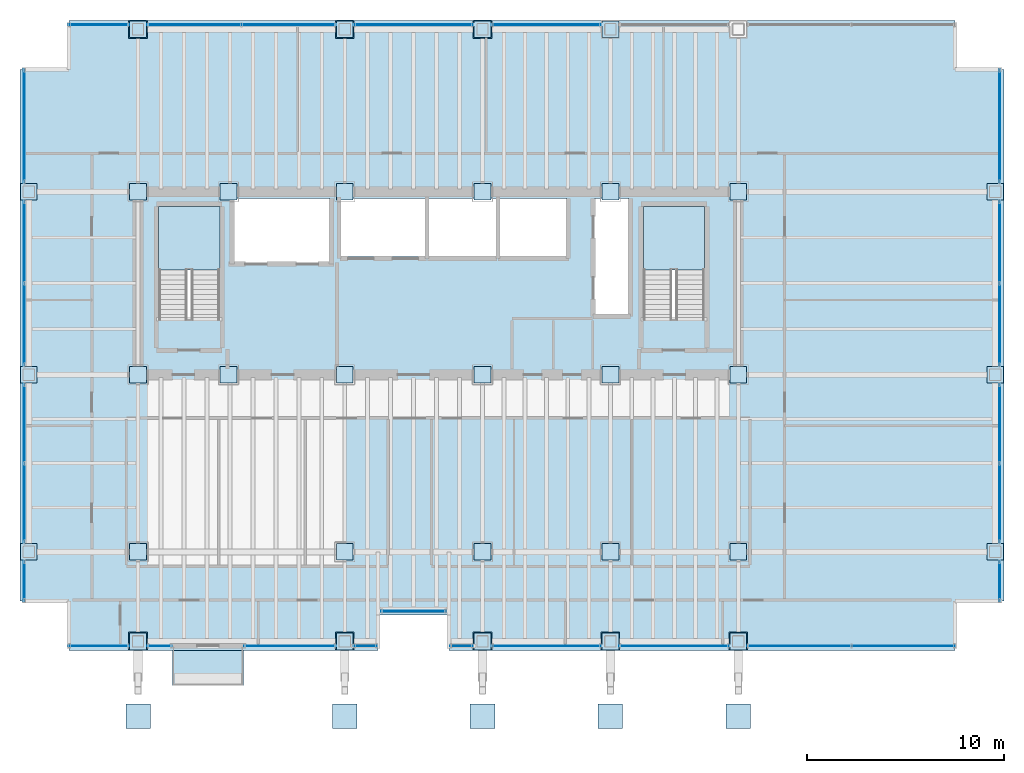
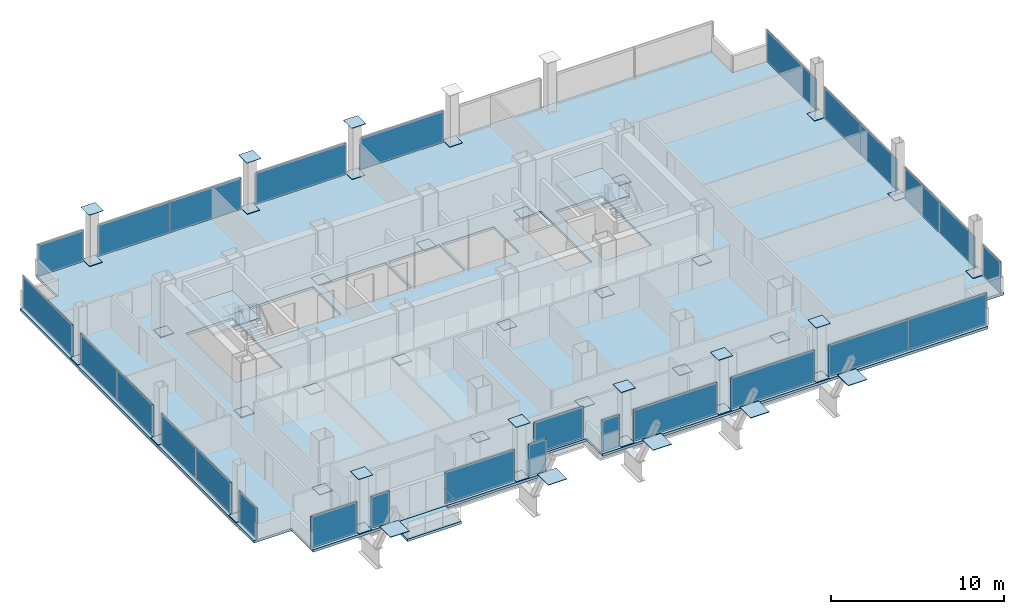
# One storey, part 17 of 21: 72 plates, 4 slabs, 7 openings, 23 elements without a shape of their own.
"""IFC4 building model written with IfcOpenShell, lengths in metres."""

from ifc_helpers import new_model, si_unit, direction, frame, origin, origin_2d, place, context, subcontext, project, spatial, polyline, rectangle, outline, extrude, material, layer, layer_set, type_object, element, aggregate, save


model = new_model("IFC4")

# Units and contexts
model_context = context("Model", 3, precision=1e-05, world=origin(), true_north=direction((0.0, 1.0)))
body_context = subcontext(model_context, "Body", "Model", "MODEL_VIEW")
ifc_project = project(units=[si_unit("LENGTHUNIT", "METRE"), si_unit("AREAUNIT", "SQUARE_METRE"), si_unit("VOLUMEUNIT", "CUBIC_METRE"), si_unit("PLANEANGLEUNIT", "RADIAN"), si_unit("MASSUNIT", "GRAM", prefix="KILO")], contexts=[model_context])

# Site, building, storey
site_placement = place(None, origin())
site = spatial("IfcSite", under=ifc_project, at=site_placement, CompositionType="ELEMENT")
building_placement = place(site_placement, origin())
building = spatial("IfcBuilding", under=site, at=building_placement, Name="Noeulbin Bourse Tower", CompositionType="ELEMENT")
storey_placement = place(building_placement, frame((0.0, 0.0, 77.199951171875)))
storey = spatial("IfcBuildingStorey", under=building, at=storey_placement, Name="L19", CompositionType="ELEMENT", Elevation=77.199951171875)

# Curtain wall, plate
ifc_material_1 = material(Name="Dark Solar-Control Double Glazing", Category="glass")
curtain_wall_type = type_object("IfcCurtainWallType", Name="CW-SYS-2", PredefinedType="NOTDEFINED", material=ifc_material_1)
curtain_wall_1_placement = place(storey_placement, origin())
curtain_wall_1 = element("IfcCurtainWall", 1, at=curtain_wall_1_placement, inside=storey, type_object=curtain_wall_type, Name="Unitised Curtain Wall CW-L19-SREC", PredefinedType="NOTDEFINED")
ifc_layer_1 = layer(ifc_material_1, 0.035888671875)
ifc_layer_set_1 = layer_set([ifc_layer_1], Name="Dark Solar-Control Double Glazing")
plate_type_1 = type_object("IfcPlateType", Name="CW-SYS-2-PNL", PredefinedType="CURTAIN_PANEL", material=ifc_layer_set_1)
plate_1_placement = place(storey_placement, frame((27.5, 16.97998046875, 0.0), z_axis=(0.0, 0.0, 1.0), x_axis=(1.0, 0.0, 0.0)))
plate_1 = element("IfcPlate", 2, at=plate_1_placement, type_object=plate_type_1, Name="Glazed Curtain Panel CW-L19-SREC-P00", PredefinedType="CURTAIN_PANEL", context=body_context, shape_type="SweptSolid", body=[
    extrude(rectangle(XDim=3.300048828125, YDim=0.035888671875, at=origin_2d()), origin(), (0.0, 0.0, 1.0), 2.219970703125),
])
aggregate(curtain_wall_1, [plate_1])

curtain_wall_2_placement = place(storey_placement, origin())
curtain_wall_2 = element("IfcCurtainWall", 3, at=curtain_wall_2_placement, inside=storey, type_object=curtain_wall_type, Name="Unitised Curtain Wall CW-L19-S1-S1", PredefinedType="NOTDEFINED")
plate_2_placement = place(storey_placement, frame((11.510009765625, 15.219970703125, 0.0), z_axis=(0.0, 0.0, 1.0), x_axis=(1.0, 0.0, 0.0)))
plate_2 = element("IfcPlate", 4, at=plate_2_placement, type_object=plate_type_1, Name="Glazed Curtain Panel CW-L19-S1-S1-P00", PredefinedType="CURTAIN_PANEL", context=body_context, shape_type="SweptSolid", body=[
    extrude(rectangle(XDim=3.06005859375, YDim=0.035888671875, at=origin_2d()), origin(), (0.0, 0.0, 1.0), 2.219970703125),
])
aggregate(curtain_wall_2, [plate_2])

curtain_wall_3_placement = place(storey_placement, origin())
curtain_wall_3 = element("IfcCurtainWall", 5, at=curtain_wall_3_placement, inside=storey, type_object=curtain_wall_type, Name="Unitised Curtain Wall CW-L19-S1-S2", PredefinedType="NOTDEFINED")
plate_3_placement = place(storey_placement, frame((14.580078125, 15.219970703125, 0.0), z_axis=(0.0, 0.0, 1.0), x_axis=(1.0, 0.0, 0.0)))
plate_3 = element("IfcPlate", 6, at=plate_3_placement, type_object=plate_type_1, Name="Glazed Curtain Panel CW-L19-S1-S2-P00", PredefinedType="CURTAIN_PANEL", context=body_context, shape_type="SweptSolid", body=[
    extrude(rectangle(XDim=1.239990234375, YDim=0.035888671875, at=origin_2d()), origin(), (0.0, 0.0, 1.0), 2.219970703125),
])
aggregate(curtain_wall_3, [plate_3])

curtain_wall_4_placement = place(storey_placement, origin())
curtain_wall_4 = element("IfcCurtainWall", 7, at=curtain_wall_4_placement, inside=storey, type_object=curtain_wall_type, Name="Unitised Curtain Wall CW-L19-S2-S1", PredefinedType="NOTDEFINED")
plate_4_placement = place(storey_placement, frame((21.219970703125, 15.219970703125, 0.0), z_axis=(0.0, 0.0, 1.0), x_axis=(1.0, 0.0, 0.0)))
plate_4 = element("IfcPlate", 8, at=plate_4_placement, type_object=plate_type_1, Name="Glazed Curtain Panel CW-L19-S2-S1-P00", PredefinedType="CURTAIN_PANEL", context=body_context, shape_type="SweptSolid", body=[
    extrude(rectangle(XDim=4.639892578125, YDim=0.035888671875, at=origin_2d()), origin(), (0.0, 0.0, 1.0), 2.219970703125),
])
aggregate(curtain_wall_4, [plate_4])

curtain_wall_5_placement = place(storey_placement, origin())
curtain_wall_5 = element("IfcCurtainWall", 9, at=curtain_wall_5_placement, inside=storey, type_object=curtain_wall_type, Name="Unitised Curtain Wall CW-L19-S2-S2", PredefinedType="NOTDEFINED")
plate_5_placement = place(storey_placement, frame((25.054931640625, 15.219970703125, 0.0), z_axis=(0.0, 0.0, 1.0), x_axis=(1.0, 0.0, 0.0)))
plate_5 = element("IfcPlate", 10, at=plate_5_placement, type_object=plate_type_1, Name="Glazed Curtain Panel CW-L19-S2-S2-P00", PredefinedType="CURTAIN_PANEL", context=body_context, shape_type="SweptSolid", body=[
    extrude(rectangle(XDim=1.18994140625, YDim=0.035888671875, at=origin_2d()), origin(), (0.0, 0.0, 1.0), 2.219970703125),
])
aggregate(curtain_wall_5, [plate_5])

curtain_wall_6_placement = place(storey_placement, origin())
curtain_wall_6 = element("IfcCurtainWall", 11, at=curtain_wall_6_placement, inside=storey, type_object=curtain_wall_type, Name="Unitised Curtain Wall CW-L19-S3-S1", PredefinedType="NOTDEFINED")
plate_6_placement = place(storey_placement, frame((29.945068359375, 15.219970703125, 0.0), z_axis=(0.0, 0.0, 1.0), x_axis=(1.0, 0.0, 0.0)))
plate_6 = element("IfcPlate", 12, at=plate_6_placement, type_object=plate_type_1, Name="Glazed Curtain Panel CW-L19-S3-S1-P00", PredefinedType="CURTAIN_PANEL", context=body_context, shape_type="SweptSolid", body=[
    extrude(rectangle(XDim=1.18994140625, YDim=0.035888671875, at=origin_2d()), origin(), (0.0, 0.0, 1.0), 2.219970703125),
])
aggregate(curtain_wall_6, [plate_6])

curtain_wall_7_placement = place(storey_placement, origin())
curtain_wall_7 = element("IfcCurtainWall", 13, at=curtain_wall_7_placement, inside=storey, type_object=curtain_wall_type, Name="Unitised Curtain Wall CW-L19-S3-S2", PredefinedType="NOTDEFINED")
plate_7_placement = place(storey_placement, frame((34.25, 15.219970703125, 0.0), z_axis=(0.0, 0.0, 1.0), x_axis=(1.0, 0.0, 0.0)))
plate_7 = element("IfcPlate", 14, at=plate_7_placement, type_object=plate_type_1, Name="Glazed Curtain Panel CW-L19-S3-S2-P00", PredefinedType="CURTAIN_PANEL", context=body_context, shape_type="SweptSolid", body=[
    extrude(rectangle(XDim=5.580078125, YDim=0.035888671875, at=origin_2d()), origin(), (0.0, 0.0, 1.0), 2.219970703125),
])
aggregate(curtain_wall_7, [plate_7])

curtain_wall_8_placement = place(storey_placement, origin())
curtain_wall_8 = element("IfcCurtainWall", 15, at=curtain_wall_8_placement, inside=storey, type_object=curtain_wall_type, Name="Unitised Curtain Wall CW-L19-S3-S3", PredefinedType="NOTDEFINED")
plate_8_placement = place(storey_placement, frame((40.75, 15.219970703125, 0.0), z_axis=(0.0, 0.0, 1.0), x_axis=(1.0, 0.0, 0.0)))
plate_8 = element("IfcPlate", 16, at=plate_8_placement, type_object=plate_type_1, Name="Glazed Curtain Panel CW-L19-S3-S3-P00", PredefinedType="CURTAIN_PANEL", context=body_context, shape_type="SweptSolid", body=[
    extrude(rectangle(XDim=5.580078125, YDim=0.035888671875, at=origin_2d()), origin(), (0.0, 0.0, 1.0), 2.219970703125),
])
aggregate(curtain_wall_8, [plate_8])

# Curtain wall, plates
curtain_wall_9_placement = place(storey_placement, origin())
curtain_wall_9 = element("IfcCurtainWall", 17, at=curtain_wall_9_placement, inside=storey, type_object=curtain_wall_type, Name="Unitised Curtain Wall CW-L19-S3-S4", PredefinedType="NOTDEFINED")
plate_9_placement = place(storey_placement, frame((47.10009765625, 15.219970703125, 0.0), z_axis=(0.0, 0.0, 1.0), x_axis=(1.0, 0.0, 0.0)))
plate_9 = element("IfcPlate", 18, at=plate_9_placement, type_object=plate_type_1, Name="Glazed Curtain Panel CW-L19-S3-S4-P00", PredefinedType="CURTAIN_PANEL", context=body_context, shape_type="SweptSolid", body=[
    extrude(rectangle(XDim=5.280029296875, YDim=0.035888671875, at=origin_2d()), origin(), (0.0, 0.0, 1.0), 2.219970703125),
])
plate_10_placement = place(storey_placement, frame((52.3798828125, 15.219970703125, 0.0), z_axis=(0.0, 0.0, 1.0), x_axis=(1.0, 0.0, 0.0)))
plate_10 = element("IfcPlate", 19, at=plate_10_placement, type_object=plate_type_1, Name="Glazed Curtain Panel CW-L19-S3-S4-P01", PredefinedType="CURTAIN_PANEL", context=body_context, shape_type="SweptSolid", body=[
    extrude(rectangle(XDim=5.280029296875, YDim=0.035888671875, at=origin_2d()), origin(), (0.0, 0.0, 1.0), 2.219970703125),
])
aggregate(curtain_wall_9, [plate_9, plate_10])

# Curtain wall, plate
curtain_wall_10_placement = place(storey_placement, origin())
curtain_wall_10 = element("IfcCurtainWall", 20, at=curtain_wall_10_placement, inside=storey, type_object=curtain_wall_type, Name="Unitised Curtain Wall CW-L19-N-S1", PredefinedType="NOTDEFINED")
plate_11_placement = place(storey_placement, frame((11.510009765625, 46.780029296875, 0.0), z_axis=(0.0, 0.0, 1.0), x_axis=(1.0, 0.0, 0.0)))
plate_11 = element("IfcPlate", 21, at=plate_11_placement, type_object=plate_type_1, Name="Glazed Curtain Panel CW-L19-N-S1-P00", PredefinedType="CURTAIN_PANEL", context=body_context, shape_type="SweptSolid", body=[
    extrude(rectangle(XDim=3.06005859375, YDim=0.035888671875, at=origin_2d()), origin(), (0.0, 0.0, 1.0), 2.219970703125),
])
aggregate(curtain_wall_10, [plate_11])

# Curtain wall, plates
curtain_wall_11_placement = place(storey_placement, origin())
curtain_wall_11 = element("IfcCurtainWall", 22, at=curtain_wall_11_placement, inside=storey, type_object=curtain_wall_type, Name="Unitised Curtain Wall CW-L19-N-S2", PredefinedType="NOTDEFINED")
plate_12_placement = place(storey_placement, frame((16.35498046875, 46.780029296875, 0.0), z_axis=(0.0, 0.0, 1.0), x_axis=(1.0, 0.0, 0.0)))
plate_12 = element("IfcPlate", 23, at=plate_12_placement, type_object=plate_type_1, Name="Glazed Curtain Panel CW-L19-N-S2-P00", PredefinedType="CURTAIN_PANEL", context=body_context, shape_type="SweptSolid", body=[
    extrude(rectangle(XDim=4.7900390625, YDim=0.035888671875, at=origin_2d()), origin(), (0.0, 0.0, 1.0), 2.219970703125),
])
plate_13_placement = place(storey_placement, frame((21.14501953125, 46.780029296875, 0.0), z_axis=(0.0, 0.0, 1.0), x_axis=(1.0, 0.0, 0.0)))
plate_13 = element("IfcPlate", 24, at=plate_13_placement, type_object=plate_type_1, Name="Glazed Curtain Panel CW-L19-N-S2-P01", PredefinedType="CURTAIN_PANEL", context=body_context, shape_type="SweptSolid", body=[
    extrude(rectangle(XDim=4.7900390625, YDim=0.035888671875, at=origin_2d()), origin(), (0.0, 0.0, 1.0), 2.219970703125),
])
aggregate(curtain_wall_11, [plate_12, plate_13])

# Curtain wall, plate
curtain_wall_12_placement = place(storey_placement, origin())
curtain_wall_12 = element("IfcCurtainWall", 25, at=curtain_wall_12_placement, inside=storey, type_object=curtain_wall_type, Name="Unitised Curtain Wall CW-L19-N-S3", PredefinedType="NOTDEFINED")
plate_14_placement = place(storey_placement, frame((27.5, 46.780029296875, 0.0), z_axis=(0.0, 0.0, 1.0), x_axis=(1.0, 0.0, 0.0)))
plate_14 = element("IfcPlate", 26, at=plate_14_placement, type_object=plate_type_1, Name="Glazed Curtain Panel CW-L19-N-S3-P00", PredefinedType="CURTAIN_PANEL", context=body_context, shape_type="SweptSolid", body=[
    extrude(rectangle(XDim=6.080078125, YDim=0.035888671875, at=origin_2d()), origin(), (0.0, 0.0, 1.0), 2.219970703125),
])
aggregate(curtain_wall_12, [plate_14])

curtain_wall_13_placement = place(storey_placement, origin())
curtain_wall_13 = element("IfcCurtainWall", 27, at=curtain_wall_13_placement, inside=storey, type_object=curtain_wall_type, Name="Unitised Curtain Wall CW-L19-N-S4", PredefinedType="NOTDEFINED")
plate_15_placement = place(storey_placement, frame((34.25, 46.780029296875, 0.0), z_axis=(0.0, 0.0, 1.0), x_axis=(1.0, 0.0, 0.0)))
plate_15 = element("IfcPlate", 28, at=plate_15_placement, type_object=plate_type_1, Name="Glazed Curtain Panel CW-L19-N-S4-P00", PredefinedType="CURTAIN_PANEL", context=body_context, shape_type="SweptSolid", body=[
    extrude(rectangle(XDim=5.580078125, YDim=0.035888671875, at=origin_2d()), origin(), (0.0, 0.0, 1.0), 2.219970703125),
])
aggregate(curtain_wall_13, [plate_15])

curtain_wall_14_placement = place(storey_placement, origin())
curtain_wall_14 = element("IfcCurtainWall", 29, at=curtain_wall_14_placement, inside=storey, type_object=curtain_wall_type, Name="Unitised Curtain Wall CW-L19-W-S1", PredefinedType="NOTDEFINED")
plate_16_placement = place(storey_placement, frame((7.719970703125, 18.510009765625, 0.0), z_axis=(0.0, 0.0, 1.0), x_axis=(0.0, 1.0, 0.0)))
plate_16 = element("IfcPlate", 30, at=plate_16_placement, type_object=plate_type_1, Name="Glazed Curtain Panel CW-L19-W-S1-P00", PredefinedType="CURTAIN_PANEL", context=body_context, shape_type="SweptSolid", body=[
    extrude(rectangle(XDim=2.06005859375, YDim=0.035888671875, at=origin_2d()), origin(), (0.0, 0.0, 1.0), 2.219970703125),
])
aggregate(curtain_wall_14, [plate_16])

# Curtain wall, plates
curtain_wall_15_placement = place(storey_placement, origin())
curtain_wall_15 = element("IfcCurtainWall", 31, at=curtain_wall_15_placement, inside=storey, type_object=curtain_wall_type, Name="Unitised Curtain Wall CW-L19-W-S2", PredefinedType="NOTDEFINED")
plate_17_placement = place(storey_placement, frame((7.719970703125, 22.47998046875, 0.0), z_axis=(0.0, 0.0, 1.0), x_axis=(0.0, 1.0, 0.0)))
plate_17 = element("IfcPlate", 32, at=plate_17_placement, type_object=plate_type_1, Name="Glazed Curtain Panel CW-L19-W-S2-P00", PredefinedType="CURTAIN_PANEL", context=body_context, shape_type="SweptSolid", body=[
    extrude(rectangle(XDim=4.0400390625, YDim=0.035888671875, at=origin_2d()), origin(), (0.0, 0.0, 1.0), 2.219970703125),
])
plate_18_placement = place(storey_placement, frame((7.719970703125, 26.52001953125, 0.0), z_axis=(0.0, 0.0, 1.0), x_axis=(0.0, 1.0, 0.0)))
plate_18 = element("IfcPlate", 33, at=plate_18_placement, type_object=plate_type_1, Name="Glazed Curtain Panel CW-L19-W-S2-P01", PredefinedType="CURTAIN_PANEL", context=body_context, shape_type="SweptSolid", body=[
    extrude(rectangle(XDim=4.0400390625, YDim=0.035888671875, at=origin_2d()), origin(), (0.0, 0.0, 1.0), 2.219970703125),
])
aggregate(curtain_wall_15, [plate_17, plate_18])

curtain_wall_16_placement = place(storey_placement, origin())
curtain_wall_16 = element("IfcCurtainWall", 34, at=curtain_wall_16_placement, inside=storey, type_object=curtain_wall_type, Name="Unitised Curtain Wall CW-L19-W-S3", PredefinedType="NOTDEFINED")
plate_19_placement = place(storey_placement, frame((7.719970703125, 31.554931640625, 0.0), z_axis=(0.0, 0.0, 1.0), x_axis=(0.0, 1.0, 0.0)))
plate_19 = element("IfcPlate", 35, at=plate_19_placement, type_object=plate_type_1, Name="Glazed Curtain Panel CW-L19-W-S3-P00", PredefinedType="CURTAIN_PANEL", context=body_context, shape_type="SweptSolid", body=[
    extrude(rectangle(XDim=4.18994140625, YDim=0.035888671875, at=origin_2d()), origin(), (0.0, 0.0, 1.0), 2.219970703125),
])
plate_20_placement = place(storey_placement, frame((7.719970703125, 35.7451171875, 0.0), z_axis=(0.0, 0.0, 1.0), x_axis=(0.0, 1.0, 0.0)))
plate_20 = element("IfcPlate", 36, at=plate_20_placement, type_object=plate_type_1, Name="Glazed Curtain Panel CW-L19-W-S3-P01", PredefinedType="CURTAIN_PANEL", context=body_context, shape_type="SweptSolid", body=[
    extrude(rectangle(XDim=4.18994140625, YDim=0.035888671875, at=origin_2d()), origin(), (0.0, 0.0, 1.0), 2.219970703125),
])
aggregate(curtain_wall_16, [plate_19, plate_20])

# Curtain wall, plate
curtain_wall_17_placement = place(storey_placement, origin())
curtain_wall_17 = element("IfcCurtainWall", 37, at=curtain_wall_17_placement, inside=storey, type_object=curtain_wall_type, Name="Unitised Curtain Wall CW-L19-W-S4", PredefinedType="NOTDEFINED")
plate_21_placement = place(storey_placement, frame((7.719970703125, 41.639892578125, 0.0), z_axis=(0.0, 0.0, 1.0), x_axis=(0.0, 1.0, 0.0)))
plate_21 = element("IfcPlate", 38, at=plate_21_placement, type_object=plate_type_1, Name="Glazed Curtain Panel CW-L19-W-S4-P00", PredefinedType="CURTAIN_PANEL", context=body_context, shape_type="SweptSolid", body=[
    extrude(rectangle(XDim=5.760009765625, YDim=0.035888671875, at=origin_2d()), origin(), (0.0, 0.0, 1.0), 2.219970703125),
])
aggregate(curtain_wall_17, [plate_21])

curtain_wall_18_placement = place(storey_placement, origin())
curtain_wall_18 = element("IfcCurtainWall", 39, at=curtain_wall_18_placement, inside=storey, type_object=curtain_wall_type, Name="Unitised Curtain Wall CW-L19-E-S1", PredefinedType="NOTDEFINED")
plate_22_placement = place(storey_placement, frame((57.280029296875, 18.510009765625, 0.0), z_axis=(0.0, 0.0, 1.0), x_axis=(0.0, 1.0, 0.0)))
plate_22 = element("IfcPlate", 40, at=plate_22_placement, type_object=plate_type_1, Name="Glazed Curtain Panel CW-L19-E-S1-P00", PredefinedType="CURTAIN_PANEL", context=body_context, shape_type="SweptSolid", body=[
    extrude(rectangle(XDim=2.06005859375, YDim=0.035888671875, at=origin_2d()), origin(), (0.0, 0.0, 1.0), 2.219970703125),
])
aggregate(curtain_wall_18, [plate_22])

# Curtain wall, plates
curtain_wall_19_placement = place(storey_placement, origin())
curtain_wall_19 = element("IfcCurtainWall", 41, at=curtain_wall_19_placement, inside=storey, type_object=curtain_wall_type, Name="Unitised Curtain Wall CW-L19-E-S2", PredefinedType="NOTDEFINED")
plate_23_placement = place(storey_placement, frame((57.280029296875, 22.47998046875, 0.0), z_axis=(0.0, 0.0, 1.0), x_axis=(0.0, 1.0, 0.0)))
plate_23 = element("IfcPlate", 42, at=plate_23_placement, type_object=plate_type_1, Name="Glazed Curtain Panel CW-L19-E-S2-P00", PredefinedType="CURTAIN_PANEL", context=body_context, shape_type="SweptSolid", body=[
    extrude(rectangle(XDim=4.0400390625, YDim=0.035888671875, at=origin_2d()), origin(), (0.0, 0.0, 1.0), 2.219970703125),
])
plate_24_placement = place(storey_placement, frame((57.280029296875, 26.52001953125, 0.0), z_axis=(0.0, 0.0, 1.0), x_axis=(0.0, 1.0, 0.0)))
plate_24 = element("IfcPlate", 43, at=plate_24_placement, type_object=plate_type_1, Name="Glazed Curtain Panel CW-L19-E-S2-P01", PredefinedType="CURTAIN_PANEL", context=body_context, shape_type="SweptSolid", body=[
    extrude(rectangle(XDim=4.0400390625, YDim=0.035888671875, at=origin_2d()), origin(), (0.0, 0.0, 1.0), 2.219970703125),
])
aggregate(curtain_wall_19, [plate_23, plate_24])

curtain_wall_20_placement = place(storey_placement, origin())
curtain_wall_20 = element("IfcCurtainWall", 44, at=curtain_wall_20_placement, inside=storey, type_object=curtain_wall_type, Name="Unitised Curtain Wall CW-L19-E-S3", PredefinedType="NOTDEFINED")
plate_25_placement = place(storey_placement, frame((57.280029296875, 31.554931640625, 0.0), z_axis=(0.0, 0.0, 1.0), x_axis=(0.0, 1.0, 0.0)))
plate_25 = element("IfcPlate", 45, at=plate_25_placement, type_object=plate_type_1, Name="Glazed Curtain Panel CW-L19-E-S3-P00", PredefinedType="CURTAIN_PANEL", context=body_context, shape_type="SweptSolid", body=[
    extrude(rectangle(XDim=4.18994140625, YDim=0.035888671875, at=origin_2d()), origin(), (0.0, 0.0, 1.0), 2.219970703125),
])
plate_26_placement = place(storey_placement, frame((57.280029296875, 35.7451171875, 0.0), z_axis=(0.0, 0.0, 1.0), x_axis=(0.0, 1.0, 0.0)))
plate_26 = element("IfcPlate", 46, at=plate_26_placement, type_object=plate_type_1, Name="Glazed Curtain Panel CW-L19-E-S3-P01", PredefinedType="CURTAIN_PANEL", context=body_context, shape_type="SweptSolid", body=[
    extrude(rectangle(XDim=4.18994140625, YDim=0.035888671875, at=origin_2d()), origin(), (0.0, 0.0, 1.0), 2.219970703125),
])
aggregate(curtain_wall_20, [plate_25, plate_26])

# Curtain wall, plate
curtain_wall_21_placement = place(storey_placement, origin())
curtain_wall_21 = element("IfcCurtainWall", 47, at=curtain_wall_21_placement, inside=storey, type_object=curtain_wall_type, Name="Unitised Curtain Wall CW-L19-E-S4", PredefinedType="NOTDEFINED")
plate_27_placement = place(storey_placement, frame((57.280029296875, 41.639892578125, 0.0), z_axis=(0.0, 0.0, 1.0), x_axis=(0.0, 1.0, 0.0)))
plate_27 = element("IfcPlate", 48, at=plate_27_placement, type_object=plate_type_1, Name="Glazed Curtain Panel CW-L19-E-S4-P00", PredefinedType="CURTAIN_PANEL", context=body_context, shape_type="SweptSolid", body=[
    extrude(rectangle(XDim=5.760009765625, YDim=0.035888671875, at=origin_2d()), origin(), (0.0, 0.0, 1.0), 2.219970703125),
])
aggregate(curtain_wall_21, [plate_27])

# Plates
ifc_material_2 = material(Name="Steel S355", Category="steel")
ifc_layer_2 = layer(ifc_material_2, 0.030029296875)
ifc_layer_set_2 = layer_set([ifc_layer_2], Name="Steel S355")
plate_type_2 = type_object("IfcPlateType", Name="PLT-BN1", PredefinedType="USERDEFINED", material=ifc_layer_set_2)
for number, where, z_axis, x_axis, name in (
    (49, (13.5, 29.0, 0.0048828125), (0.0, 0.0, 1.0), (1.0, 0.0, 0.0), "Mega-Column Splice Plate BN1-L19-01"),
    (50, (13.5, 38.300048828125, 0.0048828125), (0.0, 0.0, 1.0), (1.0, 0.0, 0.0), "Mega-Column Splice Plate BN1-L19-02"),
    (51, (18.10009765625, 29.0, 0.0048828125), (0.0, 0.0, 1.0), (1.0, 0.0, 0.0), "Mega-Column Splice Plate BN1-L19-03"),
    (52, (18.10009765625, 38.300048828125, 0.0048828125), (0.0, 0.0, 1.0), (1.0, 0.0, 0.0), "Mega-Column Splice Plate BN1-L19-04"),
    (53, (24.0, 29.0, 0.0048828125), (0.0, 0.0, 1.0), (1.0, 0.0, 0.0), "Mega-Column Splice Plate BN1-L19-05"),
    (54, (24.0, 38.300048828125, 0.0048828125), (0.0, 0.0, 1.0), (1.0, 0.0, 0.0), "Mega-Column Splice Plate BN1-L19-06"),
    (55, (31.0, 29.0, 0.0048828125), (0.0, 0.0, 1.0), (1.0, 0.0, 0.0), "Mega-Column Splice Plate BN1-L19-07"),
    (56, (31.0, 38.300048828125, 0.0048828125), (0.0, 0.0, 1.0), (1.0, 0.0, 0.0), "Mega-Column Splice Plate BN1-L19-08"),
    (57, (37.5, 29.0, 0.0048828125), (0.0, 0.0, 1.0), (1.0, 0.0, 0.0), "Mega-Column Splice Plate BN1-L19-09"),
    (58, (37.5, 38.300048828125, 0.0048828125), (0.0, 0.0, 1.0), (1.0, 0.0, 0.0), "Mega-Column Splice Plate BN1-L19-10"),
    (59, (44.0, 29.0, 0.0048828125), (0.0, 0.0, 1.0), (1.0, 0.0, 0.0), "Mega-Column Splice Plate BN1-L19-11"),
    (60, (44.0, 38.300048828125, 0.0048828125), (0.0, 0.0, 1.0), (1.0, 0.0, 0.0), "Mega-Column Splice Plate BN1-L19-12"),
    (61, (13.5, 20.0, 0.0048828125), (0.0, 0.0, 1.0), (1.0, 0.0, 0.0), "Mega-Column Splice Plate BN1-L19-13"),
    (62, (24.0, 20.0, 0.0048828125), (0.0, 0.0, 1.0), (1.0, 0.0, 0.0), "Mega-Column Splice Plate BN1-L19-14"),
    (63, (31.0, 20.0, 0.0048828125), (0.0, 0.0, 1.0), (1.0, 0.0, 0.0), "Mega-Column Splice Plate BN1-L19-15"),
    (64, (37.5, 20.0, 0.0048828125), (0.0, 0.0, 1.0), (1.0, 0.0, 0.0), "Mega-Column Splice Plate BN1-L19-16"),
    (65, (44.0, 20.0, 0.0048828125), (0.0, 0.0, 1.0), (1.0, 0.0, 0.0), "Mega-Column Splice Plate BN1-L19-17"),
    (66, (7.949951171875, 20.0, 0.0048828125), (0.0, 0.0, 1.0), (1.0, 0.0, 0.0), "Perimeter Column Splice Plate BN1-L19-01"),
    (67, (7.949951171875, 29.0, 0.0048828125), (0.0, 0.0, 1.0), (1.0, 0.0, 0.0), "Perimeter Column Splice Plate BN1-L19-02"),
    (68, (7.949951171875, 38.300048828125, 0.0048828125), (0.0, 0.0, 1.0), (1.0, 0.0, 0.0), "Perimeter Column Splice Plate BN1-L19-03"),
    (69, (13.5, 15.449951171875, 0.0048828125), (0.0, 0.0, 1.0), (1.0, 0.0, 0.0), "Perimeter Column Splice Plate BN1-L19-04"),
    (70, (13.5, 46.550048828125, 0.0048828125), (0.0, 0.0, 1.0), (1.0, 0.0, 0.0), "Perimeter Column Splice Plate BN1-L19-05"),
    (71, (24.0, 15.449951171875, 0.0048828125), (0.0, 0.0, 1.0), (1.0, 0.0, 0.0), "Perimeter Column Splice Plate BN1-L19-06"),
    (72, (24.0, 46.550048828125, 0.0048828125), (0.0, 0.0, 1.0), (1.0, 0.0, 0.0), "Perimeter Column Splice Plate BN1-L19-07"),
    (73, (31.0, 15.449951171875, 0.0048828125), (0.0, 0.0, 1.0), (1.0, 0.0, 0.0), "Perimeter Column Splice Plate BN1-L19-08"),
    (74, (31.0, 46.550048828125, 0.0048828125), (0.0, 0.0, 1.0), (1.0, 0.0, 0.0), "Perimeter Column Splice Plate BN1-L19-09"),
    (75, (37.5, 15.449951171875, 0.0048828125), (0.0, 0.0, 1.0), (1.0, 0.0, 0.0), "Perimeter Column Splice Plate BN1-L19-10"),
    (76, (37.5, 46.550048828125, 0.0048828125), (0.0, 0.0, 1.0), (1.0, 0.0, 0.0), "Perimeter Column Splice Plate BN1-L19-11"),
    (77, (44.0, 15.449951171875, 0.0048828125), (0.0, 0.0, 1.0), (1.0, 0.0, 0.0), "Perimeter Column Splice Plate BN1-L19-12"),
    (78, (57.050048828125, 20.0, 0.0048828125), (0.0, 0.0, 1.0), (1.0, 0.0, 0.0), "Perimeter Column Splice Plate BN1-L19-14"),
    (79, (57.050048828125, 29.0, 0.0048828125), (0.0, 0.0, 1.0), (1.0, 0.0, 0.0), "Perimeter Column Splice Plate BN1-L19-15"),
    (80, (57.050048828125, 38.300048828125, 0.0048828125), (0.0, 0.0, 1.0), (1.0, 0.0, 0.0), "Perimeter Column Splice Plate BN1-L19-16"),
):
    element("IfcPlate", number, at=place(storey_placement, frame(where, z_axis=z_axis, x_axis=x_axis)), inside=storey, type_object=plate_type_2, Name=name, ObjectType="SPLICE PLATE", PredefinedType="USERDEFINED", context=body_context, shape_type="SweptSolid", body=[
        extrude(rectangle(XDim=0.85009765625, YDim=0.85009765625, at=origin_2d()), origin(), (0.0, 0.0, 1.0), 0.030029296875),
    ])
ifc_material_3 = material(Name="Steel S460", Category="steel")
ifc_layer_3 = layer(ifc_material_3, 0.0400390625)
ifc_layer_set_3 = layer_set([ifc_layer_3], Name="Steel S460")
plate_type_3 = type_object("IfcPlateType", Name="PLT-KN1", PredefinedType="USERDEFINED", material=ifc_layer_set_3)
for number, where, z_axis, x_axis, name in (
    (81, (13.5, 11.64990234375, 2.260009765625), (0.0, 0.0, 1.0), (1.0, 0.0, 0.0), "Exoskeleton Kink Gusset KN1-01"),
    (82, (24.0, 11.64990234375, 2.260009765625), (0.0, 0.0, 1.0), (1.0, 0.0, 0.0), "Exoskeleton Kink Gusset KN1-02"),
    (83, (31.0, 11.64990234375, 2.260009765625), (0.0, 0.0, 1.0), (1.0, 0.0, 0.0), "Exoskeleton Kink Gusset KN1-03"),
    (84, (37.5, 11.64990234375, 2.260009765625), (0.0, 0.0, 1.0), (1.0, 0.0, 0.0), "Exoskeleton Kink Gusset KN1-04"),
    (85, (44.0, 11.64990234375, 2.260009765625), (0.0, 0.0, 1.0), (1.0, 0.0, 0.0), "Exoskeleton Kink Gusset KN1-05"),
):
    element("IfcPlate", number, at=place(storey_placement, frame(where, z_axis=z_axis, x_axis=x_axis)), inside=storey, type_object=plate_type_3, Name=name, ObjectType="GUSSET PLATE", PredefinedType="USERDEFINED", context=body_context, shape_type="SweptSolid", body=[
        extrude(rectangle(XDim=1.25, YDim=1.25, at=origin_2d()), origin(), (0.0, 0.0, 1.0), 0.0400390625),
    ])
ifc_layer_4 = layer(ifc_material_2, 0.031982421875)
ifc_layer_set_4 = layer_set([ifc_layer_4], Name="Steel S355")
plate_type_4 = type_object("IfcPlateType", Name="PLT-KN3", PredefinedType="USERDEFINED", material=ifc_layer_set_4)
for number, where, z_axis, x_axis, name in (
    (86, (13.5, 15.449951171875, 3.88427734375), (0.0, 0.0, 1.0), (1.0, 0.0, 0.0), "Perimeter Column End Cap Plate KN3-04"),
    (87, (13.5, 46.550048828125, 3.64404296875), (0.0, 0.0, 1.0), (1.0, 0.0, 0.0), "Perimeter Column End Cap Plate KN3-05"),
    (88, (24.0, 15.449951171875, 3.88427734375), (0.0, 0.0, 1.0), (1.0, 0.0, 0.0), "Perimeter Column End Cap Plate KN3-06"),
    (89, (24.0, 46.550048828125, 3.64404296875), (0.0, 0.0, 1.0), (1.0, 0.0, 0.0), "Perimeter Column End Cap Plate KN3-07"),
    (90, (31.0, 15.449951171875, 3.88427734375), (0.0, 0.0, 1.0), (1.0, 0.0, 0.0), "Perimeter Column End Cap Plate KN3-08"),
    (91, (31.0, 46.550048828125, 3.64404296875), (0.0, 0.0, 1.0), (1.0, 0.0, 0.0), "Perimeter Column End Cap Plate KN3-09"),
    (92, (37.5, 15.449951171875, 3.88427734375), (0.0, 0.0, 1.0), (1.0, 0.0, 0.0), "Perimeter Column End Cap Plate KN3-10"),
    (93, (44.0, 15.449951171875, 3.88427734375), (0.0, 0.0, 1.0), (1.0, 0.0, 0.0), "Perimeter Column End Cap Plate KN3-12"),
):
    element("IfcPlate", number, at=place(storey_placement, frame(where, z_axis=z_axis, x_axis=x_axis)), inside=storey, type_object=plate_type_4, Name=name, ObjectType="END PLATE", PredefinedType="USERDEFINED", context=body_context, shape_type="SweptSolid", body=[
        extrude(rectangle(XDim=0.949951171875, YDim=0.949951171875, at=origin_2d()), origin(), (0.0, 0.0, 1.0), 0.031982421875),
    ])

# Stair, slab
ifc_material_4 = material(Name="Concrete C40/50", Category="concrete")
stair_type = type_object("IfcStairType", Name="STR-CORE-1560", PredefinedType="HALF_TURN_STAIR", material=ifc_material_4)
stair_1_placement = place(storey_placement, origin())
stair_1 = element("IfcStair", 94, at=stair_1_placement, inside=storey, type_object=stair_type, Name="L19 ST-1", PredefinedType="HALF_TURN_STAIR")
ifc_layer_5 = layer(ifc_material_4, 0.199951171875)
ifc_layer_set_5 = layer_set([ifc_layer_5], Name="Concrete C40/50")
slab_type_1 = type_object("IfcSlabType", Name="SLB-LND-200", PredefinedType="LANDING", material=ifc_layer_set_5)
slab_1_placement = place(storey_placement, frame((0.0, 0.0, 1.75)))
slab_1 = element("IfcSlab", 95, at=slab_1_placement, type_object=slab_type_1, Name="ST-1 landing 1", PredefinedType="LANDING", context=body_context, shape_type="SweptSolid", body=[
    extrude(outline(polyline([(17.64990234375, 34.330078125), (17.64990234375, 37.5439453125), (14.550048828125, 37.5439453125), (14.550048828125, 34.330078125), (17.64990234375, 34.330078125)])), origin(), (0.0, 0.0, 1.0), 0.199951171875),
])
aggregate(stair_1, [slab_1])

stair_2_placement = place(storey_placement, origin())
stair_2 = element("IfcStair", 96, at=stair_2_placement, inside=storey, type_object=stair_type, Name="L19 ST-2", PredefinedType="HALF_TURN_STAIR")
slab_2_placement = place(storey_placement, frame((0.0, 0.0, 1.75)))
slab_2 = element("IfcSlab", 97, at=slab_2_placement, type_object=slab_type_1, Name="ST-2 landing 1", PredefinedType="LANDING", context=body_context, shape_type="SweptSolid", body=[
    extrude(outline(polyline([(42.280029296875, 34.330078125), (42.280029296875, 37.5439453125), (39.179931640625, 37.5439453125), (39.179931640625, 34.330078125), (42.280029296875, 34.330078125)])), origin(), (0.0, 0.0, 1.0), 0.199951171875),
])
aggregate(stair_2, [slab_2])

# Slab, openings
ifc_layer_6 = layer(ifc_material_4, 0.179931640625)
ifc_layer_set_6 = layer_set([ifc_layer_6], Name="Concrete C40/50")
slab_type_2 = type_object("IfcSlabType", Name="SLB-TYP-180", PredefinedType="FLOOR", material=ifc_layer_set_6)
slab_3_placement = place(storey_placement, frame((0.0, 0.0, -0.179931640625)))
slab_3 = element("IfcSlab", 98, at=slab_3_placement, inside=storey, type_object=slab_type_2, Name="Tower Structural Floor Slab L19", PredefinedType="FLOOR", context=body_context, shape_type="SweptSolid", body=[
    extrude(outline(polyline([(10.0, 15.0), (25.699951171875, 15.0), (25.699951171875, 16.800048828125), (29.300048828125, 16.800048828125), (29.300048828125, 15.0), (55.0, 15.0), (55.0, 17.5), (57.5, 17.5), (57.5, 44.5), (55.0, 44.5), (55.0, 47.0), (10.0, 47.0), (10.0, 44.5), (7.5, 44.5), (7.5, 17.5), (10.0, 17.5), (10.0, 15.0)]), holes=[polyline([(17.64990234375, 31.81005859375), (17.64990234375, 37.5439453125), (14.550048828125, 37.5439453125), (14.550048828125, 31.81005859375), (17.64990234375, 31.81005859375)]), polyline([(42.280029296875, 31.81005859375), (42.280029296875, 37.5439453125), (39.179931640625, 37.5439453125), (39.179931640625, 31.81005859375), (42.280029296875, 31.81005859375)]), polyline([(18.35009765625, 34.699951171875), (23.25, 34.699951171875), (23.25, 37.949951171875), (18.35009765625, 37.949951171875), (18.35009765625, 34.699951171875)]), polyline([(36.699951171875, 32.050048828125), (38.449951171875, 32.050048828125), (38.449951171875, 37.949951171875), (36.699951171875, 37.949951171875), (36.699951171875, 32.050048828125)]), polyline([(23.800048828125, 35.0), (28.10009765625, 35.0), (28.10009765625, 37.949951171875), (23.800048828125, 37.949951171875), (23.800048828125, 35.0)]), polyline([(28.25, 35.0), (31.699951171875, 35.0), (31.699951171875, 37.949951171875), (28.25, 37.949951171875), (28.25, 35.0)]), polyline([(31.85009765625, 35.0), (35.300048828125, 35.0), (35.300048828125, 37.949951171875), (31.85009765625, 37.949951171875), (31.85009765625, 35.0)])]), origin(), (0.0, 0.0, 1.0), 0.179931640625),
])
opening_1_placement = place(slab_3_placement, frame((0.0, 0.0, -0.010009765625)))
element("IfcOpeningElement", 99, at=opening_1_placement, cuts=slab_3, Name="Slab Shaft Opening SLB-L19-TWR-1", PredefinedType="OPENING", context=body_context, shape_type="SweptSolid", body=[
    extrude(outline(polyline([(17.64990234375, 31.81005859375), (17.64990234375, 37.5439453125), (14.550048828125, 37.5439453125), (14.550048828125, 31.81005859375), (17.64990234375, 31.81005859375)])), origin(), (0.0, 0.0, 1.0), 0.199951171875),
])
opening_2_placement = place(slab_3_placement, frame((0.0, 0.0, -0.010009765625)))
element("IfcOpeningElement", 100, at=opening_2_placement, cuts=slab_3, Name="Slab Shaft Opening SLB-L19-TWR-2", PredefinedType="OPENING", context=body_context, shape_type="SweptSolid", body=[
    extrude(outline(polyline([(42.280029296875, 31.81005859375), (42.280029296875, 37.5439453125), (39.179931640625, 37.5439453125), (39.179931640625, 31.81005859375), (42.280029296875, 31.81005859375)])), origin(), (0.0, 0.0, 1.0), 0.199951171875),
])
opening_3_placement = place(slab_3_placement, frame((0.0, 0.0, -0.010009765625)))
element("IfcOpeningElement", 101, at=opening_3_placement, cuts=slab_3, Name="Slab Shaft Opening SLB-L19-TWR-3", PredefinedType="OPENING", context=body_context, shape_type="SweptSolid", body=[
    extrude(outline(polyline([(18.35009765625, 34.699951171875), (23.25, 34.699951171875), (23.25, 37.949951171875), (18.35009765625, 37.949951171875), (18.35009765625, 34.699951171875)])), origin(), (0.0, 0.0, 1.0), 0.199951171875),
])
opening_4_placement = place(slab_3_placement, frame((0.0, 0.0, -0.010009765625)))
element("IfcOpeningElement", 102, at=opening_4_placement, cuts=slab_3, Name="Slab Shaft Opening SLB-L19-TWR-4", PredefinedType="OPENING", context=body_context, shape_type="SweptSolid", body=[
    extrude(outline(polyline([(36.699951171875, 32.050048828125), (38.449951171875, 32.050048828125), (38.449951171875, 37.949951171875), (36.699951171875, 37.949951171875), (36.699951171875, 32.050048828125)])), origin(), (0.0, 0.0, 1.0), 0.199951171875),
])
opening_5_placement = place(slab_3_placement, frame((0.0, 0.0, -0.010009765625)))
element("IfcOpeningElement", 103, at=opening_5_placement, cuts=slab_3, Name="Slab Shaft Opening SLB-L19-TWR-5", PredefinedType="OPENING", context=body_context, shape_type="SweptSolid", body=[
    extrude(outline(polyline([(23.800048828125, 35.0), (28.10009765625, 35.0), (28.10009765625, 37.949951171875), (23.800048828125, 37.949951171875), (23.800048828125, 35.0)])), origin(), (0.0, 0.0, 1.0), 0.199951171875),
])
opening_6_placement = place(slab_3_placement, frame((0.0, 0.0, -0.010009765625)))
element("IfcOpeningElement", 104, at=opening_6_placement, cuts=slab_3, Name="Slab Shaft Opening SLB-L19-TWR-6", PredefinedType="OPENING", context=body_context, shape_type="SweptSolid", body=[
    extrude(outline(polyline([(28.25, 35.0), (31.699951171875, 35.0), (31.699951171875, 37.949951171875), (28.25, 37.949951171875), (28.25, 35.0)])), origin(), (0.0, 0.0, 1.0), 0.199951171875),
])
opening_7_placement = place(slab_3_placement, frame((0.0, 0.0, -0.010009765625)))
element("IfcOpeningElement", 105, at=opening_7_placement, cuts=slab_3, Name="Slab Shaft Opening SLB-L19-TWR-7", PredefinedType="OPENING", context=body_context, shape_type="SweptSolid", body=[
    extrude(outline(polyline([(31.85009765625, 35.0), (35.300048828125, 35.0), (35.300048828125, 37.949951171875), (31.85009765625, 37.949951171875), (31.85009765625, 35.0)])), origin(), (0.0, 0.0, 1.0), 0.199951171875),
])

# Slab
slab_4_placement = place(storey_placement, frame((0.0, 0.0, -0.179931640625)))
element("IfcSlab", 106, at=slab_4_placement, inside=storey, type_object=slab_type_2, Name="Cantilevered Tree-Balcony Slab L19", PredefinedType="FLOOR", context=body_context, shape_type="SweptSolid", body=[
    extrude(outline(polyline([(15.25, 13.199951171875), (18.85009765625, 13.199951171875), (18.85009765625, 15.0), (15.25, 15.0), (15.25, 13.199951171875)])), origin(), (0.0, 0.0, 1.0), 0.179931640625),
])

save(model, "model.ifc")
